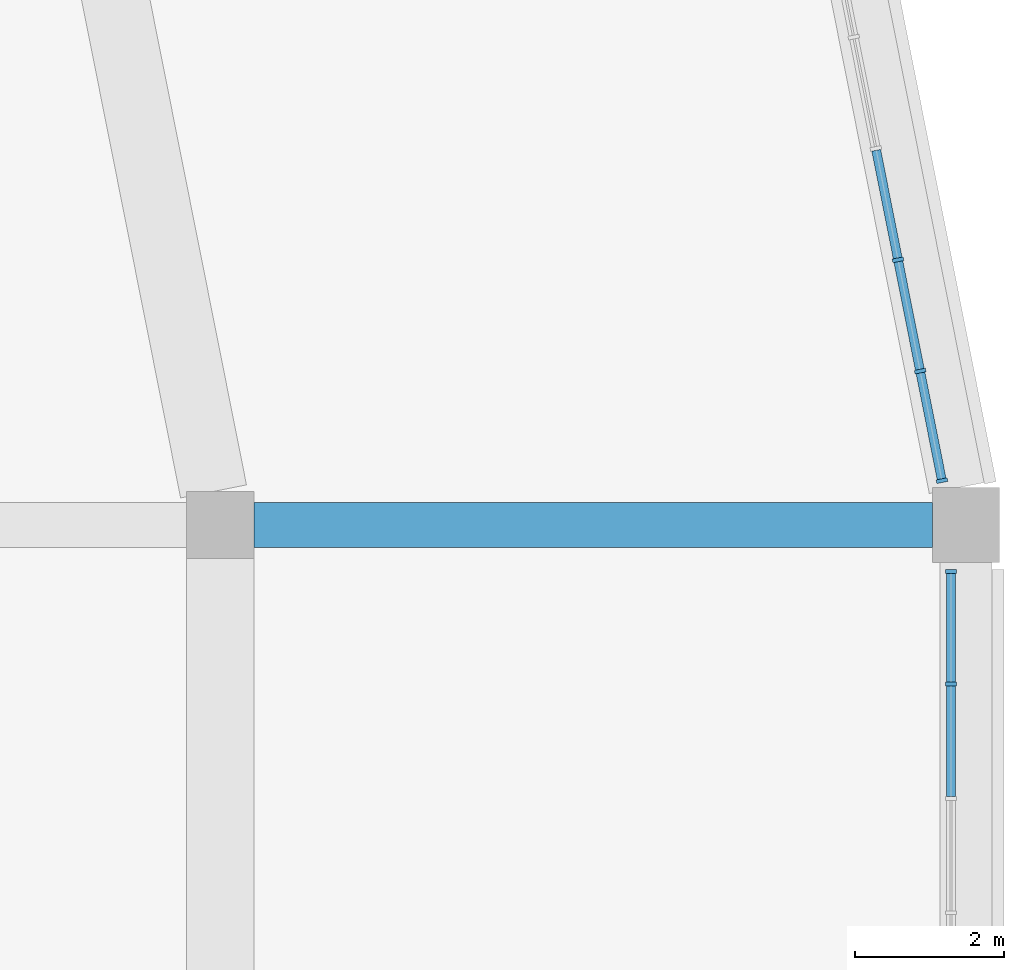
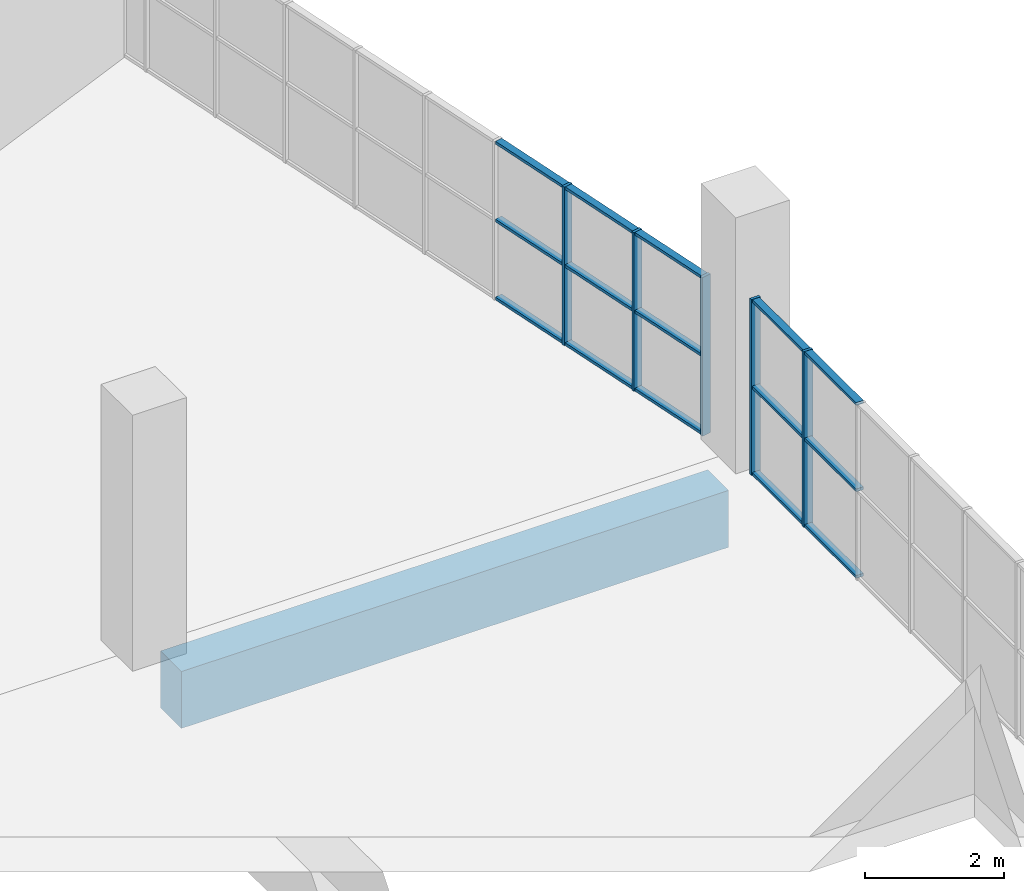
# One storey, part 49 of 199: 20 members, 1 beam, 2 elements without a shape of their own.
"""IFC4 building model written with IfcOpenShell, lengths in metres."""

from ifc_helpers import new_model, si_unit, direction, frame, origin, origin_2d, place, context, subcontext, project, spatial, rectangle, extrude, material, material_profile, profile_set, type_object, element, aggregate, save


model = new_model("IFC4")

# Units and contexts
model_context = context("Model", 3, precision=1e-05, world=origin(), true_north=direction((0.0, 1.0)))
body_context = subcontext(model_context, "Body", "Model", "MODEL_VIEW")
ifc_project = project(units=[si_unit("LENGTHUNIT", "METRE"), si_unit("AREAUNIT", "SQUARE_METRE"), si_unit("VOLUMEUNIT", "CUBIC_METRE"), si_unit("PLANEANGLEUNIT", "RADIAN"), si_unit("MASSUNIT", "GRAM", prefix="KILO")], contexts=[model_context])

# Site, building, storey
site_placement = place(None, origin())
site = spatial("IfcSite", under=ifc_project, at=site_placement, CompositionType="ELEMENT")
building_placement = place(site_placement, origin())
building = spatial("IfcBuilding", under=site, at=building_placement, Name="Ogive Plaza Stadium", CompositionType="ELEMENT")
storey_placement = place(building_placement, frame((0.0, 0.0, 9.0)))
storey = spatial("IfcBuildingStorey", under=building, at=storey_placement, Name="L02", CompositionType="ELEMENT", Elevation=9.0)

# Curtain wall, members
ifc_material_1 = material(Name="Bronze-anodised aluminium with laminated glass", Category="aluminium")
curtain_wall_type = type_object("IfcCurtainWallType", Name="Lancet curtain wall", PredefinedType="NOTDEFINED", material=ifc_material_1)
curtain_wall_1_placement = place(storey_placement, origin())
curtain_wall_1 = element("IfcCurtainWall", 1, at=curtain_wall_1_placement, inside=storey, type_object=curtain_wall_type, Name="CURTAIN WALL B01 L02", PredefinedType="NOTDEFINED")
ifc_material_2 = material(Name="Bronze-anodised aluminium", Category="aluminium")
ifc_material_profile_1 = material_profile(ifc_material_2, rectangle(XDim=0.14990234375, YDim=0.050048828125, at=origin_2d()), Name="AL 150x50")
ifc_profile_set_1 = profile_set([ifc_material_profile_1], Name="Bronze-anodised aluminium")
member_type_1 = type_object("IfcMemberType", Name="Curtain wall mullion 50x150", PredefinedType="MULLION", material=ifc_profile_set_1)
member_1_placement = place(storey_placement, frame((83.800048828125, 51.875, 0.0), z_axis=(0.0, 0.0, 1.0), x_axis=(1.0, 0.0, 0.0)))
member_1 = element("IfcMember", 2, at=member_1_placement, type_object=member_type_1, Name="CW-B01-L02 mullion 1", PredefinedType="MULLION", context=body_context, shape_type="SweptSolid", body=[
    extrude(rectangle(XDim=0.14990234375, YDim=0.050048828125, at=origin_2d()), origin(), (0.0, 0.0, 1.0), 3.090087890625),
])
member_2_placement = place(storey_placement, frame((83.800048828125, 50.36669921875, 0.0), z_axis=(0.0, 0.0, 1.0), x_axis=(1.0, 0.0, 0.0)))
member_2 = element("IfcMember", 3, at=member_2_placement, type_object=member_type_1, Name="CW-B01-L02 mullion 2", PredefinedType="MULLION", context=body_context, shape_type="SweptSolid", body=[
    extrude(rectangle(XDim=0.14990234375, YDim=0.050048828125, at=origin_2d()), origin(), (0.0, 0.0, 1.0), 3.090087890625),
])

curtain_wall_2_placement = place(storey_placement, origin())
curtain_wall_2 = element("IfcCurtainWall", 4, at=curtain_wall_2_placement, inside=storey, type_object=curtain_wall_type, Name="CURTAIN WALL B40 L02", PredefinedType="NOTDEFINED")
member_3_placement = place(storey_placement, frame((83.0888671875, 56.0556640625, 0.0), z_axis=(0.0, 0.0, 1.0), x_axis=(0.9807852804, 0.195090322033, 0.0)))
member_3 = element("IfcMember", 5, at=member_3_placement, type_object=member_type_1, Name="CW-B40-L02 mullion 11", PredefinedType="MULLION", context=body_context, shape_type="SweptSolid", body=[
    extrude(rectangle(XDim=0.14990234375, YDim=0.050048828125, at=origin_2d()), origin(), (0.0, 0.0, 1.0), 2.7900390625),
])
member_4_placement = place(storey_placement, frame((83.3857421875, 54.5625, 0.0), z_axis=(0.0, 0.0, 1.0), x_axis=(0.9807852804, 0.195090322033, 0.0)))
member_4 = element("IfcMember", 6, at=member_4_placement, type_object=member_type_1, Name="CW-B40-L02 mullion 12", PredefinedType="MULLION", context=body_context, shape_type="SweptSolid", body=[
    extrude(rectangle(XDim=0.14990234375, YDim=0.050048828125, at=origin_2d()), origin(), (0.0, 0.0, 1.0), 2.7900390625),
])
member_5_placement = place(storey_placement, frame((83.677978515625, 53.093994140625, 0.0), z_axis=(0.0, 0.0, 1.0), x_axis=(0.9807852804, 0.195090322033, 0.0)))
member_5 = element("IfcMember", 7, at=member_5_placement, type_object=member_type_1, Name="CW-B40-L02 mullion 13", PredefinedType="MULLION", context=body_context, shape_type="SweptSolid", body=[
    extrude(rectangle(XDim=0.14990234375, YDim=0.050048828125, at=origin_2d()), origin(), (0.0, 0.0, 1.0), 2.7900390625),
])

# Member
ifc_material_3 = material(Name="Bronze-anodised aluminium", Category="aluminium")
ifc_material_profile_2 = material_profile(ifc_material_3, rectangle(XDim=0.1201171875, YDim=0.050048828125, at=origin_2d()), Name="AL 120x50")
ifc_profile_set_2 = profile_set([ifc_material_profile_2], Name="Bronze-anodised aluminium")
member_type_2 = type_object("IfcMemberType", Name="Curtain wall transom 50x120", PredefinedType="USERDEFINED", material=ifc_profile_set_2)
member_6_placement = place(storey_placement, frame((83.800048828125, 51.85009765625, 0.02490234375), z_axis=(0.0, -1.0, 0.0), x_axis=(1.0, 0.0, 0.0)))
member_6 = element("IfcMember", 8, at=member_6_placement, type_object=member_type_2, Name="CW-B01-L02 transom 1.1", ObjectType="TRANSOM", PredefinedType="USERDEFINED", context=body_context, shape_type="SweptSolid", body=[
    extrude(rectangle(XDim=0.1201171875, YDim=0.050048828125, at=origin_2d()), origin(), (0.0, 0.0, 1.0), 1.45849609375),
])

member_7_placement = place(storey_placement, frame((83.800048828125, 51.85009765625, 1.544921875), z_axis=(0.0, -1.0, 0.0), x_axis=(1.0, 0.0, 0.0)))
member_7 = element("IfcMember", 9, at=member_7_placement, type_object=member_type_2, Name="CW-B01-L02 transom 1.2", ObjectType="TRANSOM", PredefinedType="USERDEFINED", context=body_context, shape_type="SweptSolid", body=[
    extrude(rectangle(XDim=0.1201171875, YDim=0.050048828125, at=origin_2d()), origin(), (0.0, 0.0, 1.0), 1.45849609375),
])

member_8_placement = place(storey_placement, frame((83.800048828125, 51.85009765625, 3.06494140625), z_axis=(0.0, -1.0, 0.0), x_axis=(1.0, 0.0, 0.0)))
member_8 = element("IfcMember", 10, at=member_8_placement, type_object=member_type_2, Name="CW-B01-L02 transom 1.3", ObjectType="TRANSOM", PredefinedType="USERDEFINED", context=body_context, shape_type="SweptSolid", body=[
    extrude(rectangle(XDim=0.1201171875, YDim=0.050048828125, at=origin_2d()), origin(), (0.0, 0.0, 1.0), 1.45849609375),
])

member_9_placement = place(storey_placement, frame((83.800048828125, 50.341552734375, 0.02490234375), z_axis=(0.0, -1.0, 0.0), x_axis=(1.0, 0.0, 0.0)))
member_9 = element("IfcMember", 11, at=member_9_placement, type_object=member_type_2, Name="CW-B01-L02 transom 2.1", ObjectType="TRANSOM", PredefinedType="USERDEFINED", context=body_context, shape_type="SweptSolid", body=[
    extrude(rectangle(XDim=0.1201171875, YDim=0.050048828125, at=origin_2d()), origin(), (0.0, 0.0, 1.0), 1.483154296875),
])

member_10_placement = place(storey_placement, frame((83.800048828125, 50.341552734375, 1.544921875), z_axis=(0.0, -1.0, 0.0), x_axis=(1.0, 0.0, 0.0)))
member_10 = element("IfcMember", 12, at=member_10_placement, type_object=member_type_2, Name="CW-B01-L02 transom 2.2", ObjectType="TRANSOM", PredefinedType="USERDEFINED", context=body_context, shape_type="SweptSolid", body=[
    extrude(rectangle(XDim=0.1201171875, YDim=0.050048828125, at=origin_2d()), origin(), (0.0, 0.0, 1.0), 1.483154296875),
])

member_11_placement = place(storey_placement, frame((83.800048828125, 50.341552734375, 3.06494140625), z_axis=(0.0, -1.0, 0.0), x_axis=(1.0, 0.0, 0.0)))
member_11 = element("IfcMember", 13, at=member_11_placement, type_object=member_type_2, Name="CW-B01-L02 transom 2.3", ObjectType="TRANSOM", PredefinedType="USERDEFINED", context=body_context, shape_type="SweptSolid", body=[
    extrude(rectangle(XDim=0.1201171875, YDim=0.050048828125, at=origin_2d()), origin(), (0.0, 0.0, 1.0), 1.483154296875),
])

aggregate(curtain_wall_1, [member_1, member_2, member_6, member_7, member_8, member_9, member_10, member_11])

member_12_placement = place(storey_placement, frame((82.796630859375, 57.524169921875, 0.02490234375), z_axis=(0.195191182816, -0.980765212551, 0.0), x_axis=(0.980765212551, 0.195191182816, 0.0)))
member_12 = element("IfcMember", 14, at=member_12_placement, type_object=member_type_2, Name="CW-B40-L02 transom 10.1", ObjectType="TRANSOM", PredefinedType="USERDEFINED", context=body_context, shape_type="SweptSolid", body=[
    extrude(rectangle(XDim=0.1201171875, YDim=0.050048828125, at=origin_2d()), origin(), (0.0, 0.0, 1.0), 1.47216796875),
])

member_13_placement = place(storey_placement, frame((82.796630859375, 57.524169921875, 1.39501953125), z_axis=(0.195191182816, -0.980765212551, 0.0), x_axis=(0.980765212551, 0.195191182816, 0.0)))
member_13 = element("IfcMember", 15, at=member_13_placement, type_object=member_type_2, Name="CW-B40-L02 transom 10.2", ObjectType="TRANSOM", PredefinedType="USERDEFINED", context=body_context, shape_type="SweptSolid", body=[
    extrude(rectangle(XDim=0.1201171875, YDim=0.050048828125, at=origin_2d()), origin(), (0.0, 0.0, 1.0), 1.47216796875),
])

member_14_placement = place(storey_placement, frame((82.796630859375, 57.524169921875, 2.764892578125), z_axis=(0.195191182816, -0.980765212551, 0.0), x_axis=(0.980765212551, 0.195191182816, 0.0)))
member_14 = element("IfcMember", 16, at=member_14_placement, type_object=member_type_2, Name="CW-B40-L02 transom 10.3", ObjectType="TRANSOM", PredefinedType="USERDEFINED", context=body_context, shape_type="SweptSolid", body=[
    extrude(rectangle(XDim=0.1201171875, YDim=0.050048828125, at=origin_2d()), origin(), (0.0, 0.0, 1.0), 1.47216796875),
])

member_15_placement = place(storey_placement, frame((83.09375, 56.03125, 0.02490234375), z_axis=(0.194999937042, -0.980803254763, 0.0), x_axis=(0.980803254763, 0.194999937042, 0.0)))
member_15 = element("IfcMember", 17, at=member_15_placement, type_object=member_type_2, Name="CW-B40-L02 transom 11.1", ObjectType="TRANSOM", PredefinedType="USERDEFINED", context=body_context, shape_type="SweptSolid", body=[
    extrude(rectangle(XDim=0.1201171875, YDim=0.050048828125, at=origin_2d()), origin(), (0.0, 0.0, 1.0), 1.472412109375),
])

member_16_placement = place(storey_placement, frame((83.09375, 56.03125, 1.39501953125), z_axis=(0.194999937042, -0.980803254763, 0.0), x_axis=(0.980803254763, 0.194999937042, 0.0)))
member_16 = element("IfcMember", 18, at=member_16_placement, type_object=member_type_2, Name="CW-B40-L02 transom 11.2", ObjectType="TRANSOM", PredefinedType="USERDEFINED", context=body_context, shape_type="SweptSolid", body=[
    extrude(rectangle(XDim=0.1201171875, YDim=0.050048828125, at=origin_2d()), origin(), (0.0, 0.0, 1.0), 1.472412109375),
])

member_17_placement = place(storey_placement, frame((83.09375, 56.03125, 2.764892578125), z_axis=(0.194999937042, -0.980803254763, 0.0), x_axis=(0.980803254763, 0.194999937042, 0.0)))
member_17 = element("IfcMember", 19, at=member_17_placement, type_object=member_type_2, Name="CW-B40-L02 transom 11.3", ObjectType="TRANSOM", PredefinedType="USERDEFINED", context=body_context, shape_type="SweptSolid", body=[
    extrude(rectangle(XDim=0.1201171875, YDim=0.050048828125, at=origin_2d()), origin(), (0.0, 0.0, 1.0), 1.472412109375),
])

member_18_placement = place(storey_placement, frame((83.390625, 54.5380859375, 0.02490234375), z_axis=(0.195175269199, -0.980768379534, 0.0), x_axis=(0.980768379534, 0.195175269199, 0.0)))
member_18 = element("IfcMember", 20, at=member_18_placement, type_object=member_type_2, Name="CW-B40-L02 transom 12.1", ObjectType="TRANSOM", PredefinedType="USERDEFINED", context=body_context, shape_type="SweptSolid", body=[
    extrude(rectangle(XDim=0.1201171875, YDim=0.050048828125, at=origin_2d()), origin(), (0.0, 0.0, 1.0), 1.447265625),
])

member_19_placement = place(storey_placement, frame((83.390625, 54.5380859375, 1.39501953125), z_axis=(0.195175269199, -0.980768379534, 0.0), x_axis=(0.980768379534, 0.195175269199, 0.0)))
member_19 = element("IfcMember", 21, at=member_19_placement, type_object=member_type_2, Name="CW-B40-L02 transom 12.2", ObjectType="TRANSOM", PredefinedType="USERDEFINED", context=body_context, shape_type="SweptSolid", body=[
    extrude(rectangle(XDim=0.1201171875, YDim=0.050048828125, at=origin_2d()), origin(), (0.0, 0.0, 1.0), 1.447265625),
])

member_20_placement = place(storey_placement, frame((83.390625, 54.5380859375, 2.764892578125), z_axis=(0.195175269199, -0.980768379534, 0.0), x_axis=(0.980768379534, 0.195175269199, 0.0)))
member_20 = element("IfcMember", 22, at=member_20_placement, type_object=member_type_2, Name="CW-B40-L02 transom 12.3", ObjectType="TRANSOM", PredefinedType="USERDEFINED", context=body_context, shape_type="SweptSolid", body=[
    extrude(rectangle(XDim=0.1201171875, YDim=0.050048828125, at=origin_2d()), origin(), (0.0, 0.0, 1.0), 1.447265625),
])

aggregate(curtain_wall_2, [member_3, member_4, member_5, member_12, member_13, member_14, member_15, member_16, member_17, member_18, member_19, member_20])

# Beam
ifc_material_4 = material(Name="Concrete C40/50", Category="concrete")
ifc_material_profile_3 = material_profile(ifc_material_4, rectangle(XDim=0.60009765625, YDim=1.0, at=origin_2d()), Name="RC 600x1000")
ifc_profile_set_3 = profile_set([ifc_material_profile_3], Name="Concrete C40/50")
beam_type = type_object("IfcBeamType", Name="RC radial beam 600x1000", PredefinedType="BEAM", material=ifc_profile_set_3)
beam_placement = place(storey_placement, frame((74.449951171875, 52.5, -0.909912109375), z_axis=(1.0, 0.0, 0.0), x_axis=(0.0, 1.0, 0.0)))
element("IfcBeam", 23, at=beam_placement, inside=storey, type_object=beam_type, Name="Radial beam L02 R01 F4F5", PredefinedType="BEAM", context=body_context, shape_type="SweptSolid", body=[
    extrude(rectangle(XDim=0.60009765625, YDim=1.0, at=origin_2d()), origin(), (0.0, 0.0, 1.0), 9.10009765625),
])

save(model, "model.ifc")
